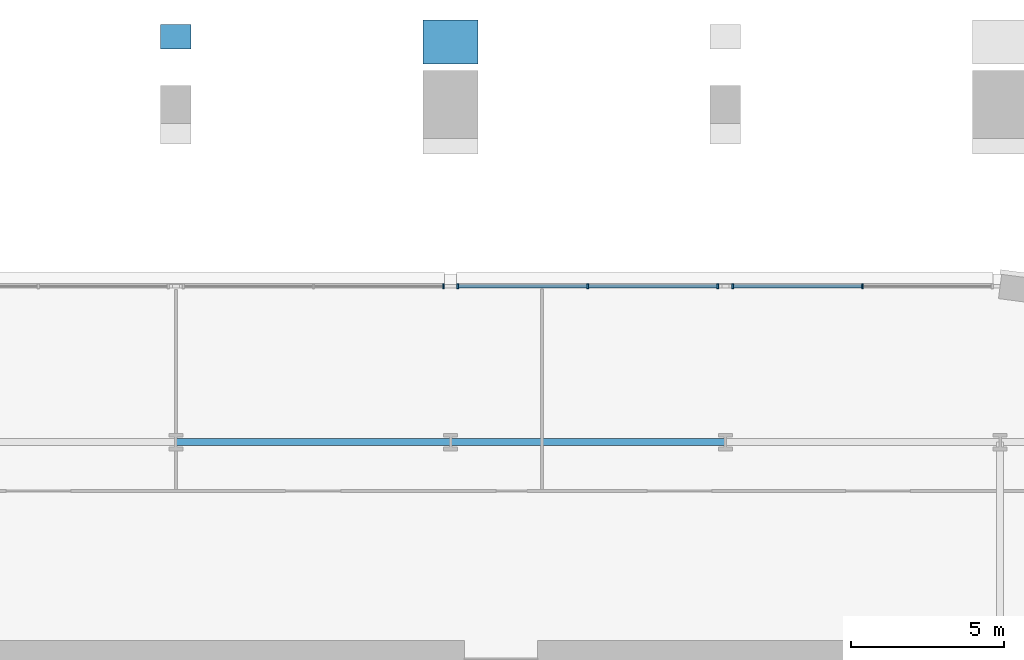
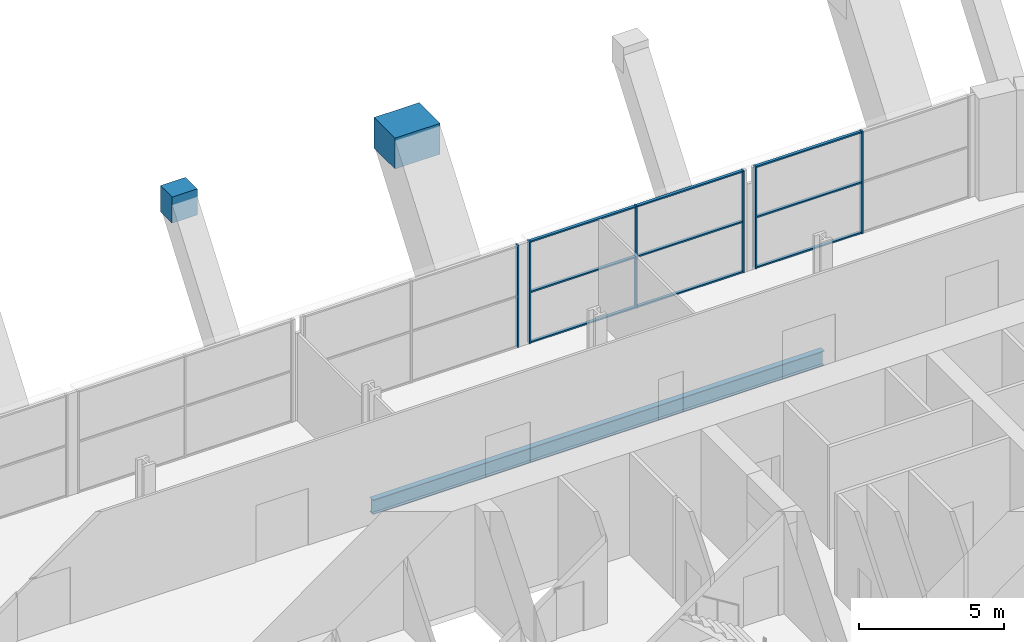
# One storey, part 10 of 24: 15 members, 3 beams, 3 elements without a shape of their own.
"""IFC4 building model written with IfcOpenShell, lengths in metres."""

from ifc_helpers import new_model, si_unit, direction, frame, origin, origin_2d, place, context, subcontext, project, spatial, rectangle, i_section, extrude, material, material_profile, profile_set, type_object, element, aggregate, save


model = new_model("IFC4")

# Units and contexts
model_context = context("Model", 3, precision=1e-05, world=origin(), true_north=direction((0.0, 1.0)))
body_context = subcontext(model_context, "Body", "Model", "MODEL_VIEW")
ifc_project = project(units=[si_unit("LENGTHUNIT", "METRE"), si_unit("AREAUNIT", "SQUARE_METRE"), si_unit("VOLUMEUNIT", "CUBIC_METRE"), si_unit("PLANEANGLEUNIT", "RADIAN"), si_unit("MASSUNIT", "GRAM", prefix="KILO")], contexts=[model_context])

# Site, building, storey
site_placement = place(None, origin())
site = spatial("IfcSite", under=ifc_project, at=site_placement, CompositionType="ELEMENT")
building_placement = place(site_placement, origin())
building = spatial("IfcBuilding", under=site, at=building_placement, Name="Zellij Exchange Tower", CompositionType="ELEMENT")
storey_placement = place(building_placement, frame((0.0, 0.0, 48.0)))
storey = spatial("IfcBuildingStorey", under=building, at=storey_placement, Name="L08", CompositionType="ELEMENT", Elevation=48.0)

# Curtain wall, members
ifc_material_1 = material(Name="Aluminium frame, clear insulating glass", Category="aluminium")
curtain_wall_type = type_object("IfcCurtainWallType", Name="ENV-CW1 Sky-garden glazing", PredefinedType="NOTDEFINED", material=ifc_material_1)
curtain_wall_1_placement = place(storey_placement, origin())
curtain_wall_1 = element("IfcCurtainWall", 1, at=curtain_wall_1_placement, inside=storey, type_object=curtain_wall_type, Name="cw.L08.14a.a", PredefinedType="NOTDEFINED")
ifc_material_2 = material(Name="Aluminium", Category="aluminium")
ifc_material_profile_1 = material_profile(ifc_material_2, rectangle(XDim=0.06005859375, YDim=0.159912109375, at=origin_2d()), Name="AL 60x160")
ifc_profile_set_1 = profile_set([ifc_material_profile_1], Name="Aluminium")
member_type_1 = type_object("IfcMemberType", Name="ENV-CW1M Mullion 60x160", PredefinedType="MULLION", material=ifc_profile_set_1)
member_1_placement = place(storey_placement, frame((22.494140625, 9.60009765625, 0.0), z_axis=(0.0, 0.0, 1.0), x_axis=(-1.0, 0.0, 0.0)))
member_1 = element("IfcMember", 2, at=member_1_placement, type_object=member_type_1, Name="CW1 mullion 2", PredefinedType="MULLION", context=body_context, shape_type="SweptSolid", body=[
    extrude(rectangle(XDim=0.06005859375, YDim=0.159912109375, at=origin_2d()), origin(), (0.0, 0.0, 1.0), 4.300048828125),
])
member_2_placement = place(storey_placement, frame((18.24462890625, 9.60009765625, 0.0), z_axis=(0.0, 0.0, 1.0), x_axis=(-1.0, 0.0, 0.0)))
member_2 = element("IfcMember", 3, at=member_2_placement, type_object=member_type_1, Name="CW1 mullion 3", PredefinedType="MULLION", context=body_context, shape_type="SweptSolid", body=[
    extrude(rectangle(XDim=0.06005859375, YDim=0.159912109375, at=origin_2d()), origin(), (0.0, 0.0, 1.0), 4.300048828125),
])

curtain_wall_2_placement = place(storey_placement, origin())
curtain_wall_2 = element("IfcCurtainWall", 4, at=curtain_wall_2_placement, inside=storey, type_object=curtain_wall_type, Name="cw.L08.14a.b", PredefinedType="NOTDEFINED")
member_3_placement = place(storey_placement, frame((17.75537109375, 9.60009765625, 0.0), z_axis=(0.0, 0.0, 1.0), x_axis=(-1.0, 0.0, 0.0)))
member_3 = element("IfcMember", 5, at=member_3_placement, type_object=member_type_1, Name="CW1 mullion 1", PredefinedType="MULLION", context=body_context, shape_type="SweptSolid", body=[
    extrude(rectangle(XDim=0.06005859375, YDim=0.159912109375, at=origin_2d()), origin(), (0.0, 0.0, 1.0), 4.300048828125),
])
member_4_placement = place(storey_placement, frame((13.49267578125, 9.60009765625, 0.0), z_axis=(0.0, 0.0, 1.0), x_axis=(-1.0, 0.0, 0.0)))
member_4 = element("IfcMember", 6, at=member_4_placement, type_object=member_type_1, Name="CW1 mullion 2", PredefinedType="MULLION", context=body_context, shape_type="SweptSolid", body=[
    extrude(rectangle(XDim=0.06005859375, YDim=0.159912109375, at=origin_2d()), origin(), (0.0, 0.0, 1.0), 4.300048828125),
])
member_5_placement = place(storey_placement, frame((9.22998046875, 9.60009765625, 0.0), z_axis=(0.0, 0.0, 1.0), x_axis=(-1.0, 0.0, 0.0)))
member_5 = element("IfcMember", 7, at=member_5_placement, type_object=member_type_1, Name="CW1 mullion 3", PredefinedType="MULLION", context=body_context, shape_type="SweptSolid", body=[
    extrude(rectangle(XDim=0.06005859375, YDim=0.159912109375, at=origin_2d()), origin(), (0.0, 0.0, 1.0), 4.300048828125),
])

# Curtain wall, member
curtain_wall_3_placement = place(storey_placement, origin())
curtain_wall_3 = element("IfcCurtainWall", 8, at=curtain_wall_3_placement, inside=storey, type_object=curtain_wall_type, Name="cw.L08.14b.a", PredefinedType="NOTDEFINED")
member_6_placement = place(storey_placement, frame((8.77001953125, 9.60009765625, 0.0), z_axis=(0.0, 0.0, 1.0), x_axis=(-1.0, 0.0, 0.0)))
member_6 = element("IfcMember", 9, at=member_6_placement, type_object=member_type_1, Name="CW1 mullion 1", PredefinedType="MULLION", context=body_context, shape_type="SweptSolid", body=[
    extrude(rectangle(XDim=0.06005859375, YDim=0.159912109375, at=origin_2d()), origin(), (0.0, 0.0, 1.0), 4.300048828125),
])
aggregate(curtain_wall_3, [member_6])

# Member
ifc_material_profile_2 = material_profile(ifc_material_2, rectangle(XDim=0.1201171875, YDim=0.06005859375, at=origin_2d()), Name="AL 120x60")
ifc_profile_set_2 = profile_set([ifc_material_profile_2], Name="Aluminium")
member_type_2 = type_object("IfcMemberType", Name="ENV-CW1T Transom 120x60", PredefinedType="USERDEFINED", material=ifc_profile_set_2)
member_7_placement = place(storey_placement, frame((22.464111328125, 9.60009765625, 0.030029296875), z_axis=(-1.0, 0.0, 0.0), x_axis=(0.0, -1.0, 0.0)))
member_7 = element("IfcMember", 10, at=member_7_placement, type_object=member_type_2, Name="CW1 transom 2.1", ObjectType="TRANSOM", PredefinedType="USERDEFINED", context=body_context, shape_type="SweptSolid", body=[
    extrude(rectangle(XDim=0.1201171875, YDim=0.06005859375, at=origin_2d()), origin(), (0.0, 0.0, 1.0), 4.189453125),
])

member_8_placement = place(storey_placement, frame((22.464111328125, 9.60009765625, 2.14990234375), z_axis=(-1.0, 0.0, 0.0), x_axis=(0.0, -1.0, 0.0)))
member_8 = element("IfcMember", 11, at=member_8_placement, type_object=member_type_2, Name="CW1 transom 2.2", ObjectType="TRANSOM", PredefinedType="USERDEFINED", context=body_context, shape_type="SweptSolid", body=[
    extrude(rectangle(XDim=0.1201171875, YDim=0.06005859375, at=origin_2d()), origin(), (0.0, 0.0, 1.0), 4.189453125),
])

member_9_placement = place(storey_placement, frame((22.464111328125, 9.60009765625, 4.27001953125), z_axis=(-1.0, 0.0, 0.0), x_axis=(0.0, -1.0, 0.0)))
member_9 = element("IfcMember", 12, at=member_9_placement, type_object=member_type_2, Name="CW1 transom 2.3", ObjectType="TRANSOM", PredefinedType="USERDEFINED", context=body_context, shape_type="SweptSolid", body=[
    extrude(rectangle(XDim=0.1201171875, YDim=0.06005859375, at=origin_2d()), origin(), (0.0, 0.0, 1.0), 4.189453125),
])

aggregate(curtain_wall_1, [member_1, member_2, member_7, member_8, member_9])

member_10_placement = place(storey_placement, frame((17.725341796875, 9.60009765625, 0.030029296875), z_axis=(-1.0, 0.0, 0.0), x_axis=(0.0, -1.0, 0.0)))
member_10 = element("IfcMember", 13, at=member_10_placement, type_object=member_type_2, Name="CW1 transom 1.1", ObjectType="TRANSOM", PredefinedType="USERDEFINED", context=body_context, shape_type="SweptSolid", body=[
    extrude(rectangle(XDim=0.1201171875, YDim=0.06005859375, at=origin_2d()), origin(), (0.0, 0.0, 1.0), 4.20263671875),
])

member_11_placement = place(storey_placement, frame((17.725341796875, 9.60009765625, 2.14990234375), z_axis=(-1.0, 0.0, 0.0), x_axis=(0.0, -1.0, 0.0)))
member_11 = element("IfcMember", 14, at=member_11_placement, type_object=member_type_2, Name="CW1 transom 1.2", ObjectType="TRANSOM", PredefinedType="USERDEFINED", context=body_context, shape_type="SweptSolid", body=[
    extrude(rectangle(XDim=0.1201171875, YDim=0.06005859375, at=origin_2d()), origin(), (0.0, 0.0, 1.0), 4.20263671875),
])

member_12_placement = place(storey_placement, frame((17.725341796875, 9.60009765625, 4.27001953125), z_axis=(-1.0, 0.0, 0.0), x_axis=(0.0, -1.0, 0.0)))
member_12 = element("IfcMember", 15, at=member_12_placement, type_object=member_type_2, Name="CW1 transom 1.3", ObjectType="TRANSOM", PredefinedType="USERDEFINED", context=body_context, shape_type="SweptSolid", body=[
    extrude(rectangle(XDim=0.1201171875, YDim=0.06005859375, at=origin_2d()), origin(), (0.0, 0.0, 1.0), 4.20263671875),
])

member_13_placement = place(storey_placement, frame((13.462646484375, 9.60009765625, 0.030029296875), z_axis=(-1.0, 0.0, 0.0), x_axis=(0.0, -1.0, 0.0)))
member_13 = element("IfcMember", 16, at=member_13_placement, type_object=member_type_2, Name="CW1 transom 2.1", ObjectType="TRANSOM", PredefinedType="USERDEFINED", context=body_context, shape_type="SweptSolid", body=[
    extrude(rectangle(XDim=0.1201171875, YDim=0.06005859375, at=origin_2d()), origin(), (0.0, 0.0, 1.0), 4.20263671875),
])

member_14_placement = place(storey_placement, frame((13.462646484375, 9.60009765625, 2.14990234375), z_axis=(-1.0, 0.0, 0.0), x_axis=(0.0, -1.0, 0.0)))
member_14 = element("IfcMember", 17, at=member_14_placement, type_object=member_type_2, Name="CW1 transom 2.2", ObjectType="TRANSOM", PredefinedType="USERDEFINED", context=body_context, shape_type="SweptSolid", body=[
    extrude(rectangle(XDim=0.1201171875, YDim=0.06005859375, at=origin_2d()), origin(), (0.0, 0.0, 1.0), 4.20263671875),
])

member_15_placement = place(storey_placement, frame((13.462646484375, 9.60009765625, 4.27001953125), z_axis=(-1.0, 0.0, 0.0), x_axis=(0.0, -1.0, 0.0)))
member_15 = element("IfcMember", 18, at=member_15_placement, type_object=member_type_2, Name="CW1 transom 2.3", ObjectType="TRANSOM", PredefinedType="USERDEFINED", context=body_context, shape_type="SweptSolid", body=[
    extrude(rectangle(XDim=0.1201171875, YDim=0.06005859375, at=origin_2d()), origin(), (0.0, 0.0, 1.0), 4.20263671875),
])

aggregate(curtain_wall_2, [member_3, member_4, member_5, member_10, member_11, member_12, member_13, member_14, member_15])

# Beams
ifc_material_3 = material(Name="Structural steel ASTM A992 Gr 50", Category="steel")
ifc_material_profile_3 = material_profile(ifc_material_3, i_section(OverallWidth=0.22900390625, OverallDepth=0.612060546875, WebThickness=0.011962890625, FlangeThickness=0.01953125, at=origin_2d()), Name="W24x84")
ifc_profile_set_3 = profile_set([ifc_material_profile_3], Name="Structural steel ASTM A992 Gr 50")
beam_type_1 = type_object("IfcBeamType", Name="STR-GIRDER W24x84", PredefinedType="BEAM", material=ifc_profile_set_3)
beam_1_placement = place(storey_placement, frame((0.0, 4.5, -0.55615234375), z_axis=(1.0, 0.0, 0.0), x_axis=(0.0, 1.0, 0.0)))
element("IfcBeam", 19, at=beam_1_placement, inside=storey, type_object=beam_type_1, Name="G4", PredefinedType="BEAM", context=body_context, shape_type="SweptSolid", body=[
    extrude(i_section(OverallWidth=0.22900390625, OverallDepth=0.612060546875, WebThickness=0.011962890625, FlangeThickness=0.01953125, at=origin_2d()), origin(), (0.0, 0.0, 1.0), 18.0),
])
ifc_material_4 = material(Name="Concrete C70/85", Category="concrete")
ifc_material_profile_4 = material_profile(ifc_material_4, rectangle(XDim=1.0, YDim=1.10009765625, at=origin_2d()), Name="STR-KNUCKLE BLOCK RC1000x1100 C70/85")
ifc_profile_set_4 = profile_set([ifc_material_profile_4], Name="Concrete C70/85")
beam_type_2 = type_object("IfcBeamType", Name="STR-KNUCKLE BLOCK RC1000x1100 C70/85", PredefinedType="BEAM", material=ifc_profile_set_4)
beam_2_placement = place(storey_placement, frame((0.0, 17.377685546875, 4.27490234375), z_axis=(0.0, 1.0, 0.0), x_axis=(-1.0, 0.0, 0.0)))
element("IfcBeam", 20, at=beam_2_placement, inside=storey, type_object=beam_type_2, Name="KB4", PredefinedType="BEAM", context=body_context, shape_type="SweptSolid", body=[
    extrude(rectangle(XDim=1.0, YDim=1.10009765625, at=origin_2d()), origin(), (0.0, 0.0, 1.0), 0.8037109375),
])
ifc_material_profile_5 = material_profile(ifc_material_4, rectangle(XDim=1.800048828125, YDim=1.300048828125, at=origin_2d()), Name="STR-KNUCKLE BLOCK RC1800x1300 C70/85")
ifc_profile_set_5 = profile_set([ifc_material_profile_5], Name="Concrete C70/85")
beam_type_3 = type_object("IfcBeamType", Name="STR-KNUCKLE BLOCK RC1800x1300 C70/85", PredefinedType="BEAM", material=ifc_profile_set_5)
beam_3_placement = place(storey_placement, frame((9.0, 16.8798828125, 3.949951171875), z_axis=(0.0, 1.0, 0.0), x_axis=(-1.0, 0.0, 0.0)))
element("IfcBeam", 21, at=beam_3_placement, inside=storey, type_object=beam_type_3, Name="KB9", PredefinedType="BEAM", context=body_context, shape_type="SweptSolid", body=[
    extrude(rectangle(XDim=1.800048828125, YDim=1.300048828125, at=origin_2d()), origin(), (0.0, 0.0, 1.0), 1.446533203125),
])

save(model, "model.ifc")
